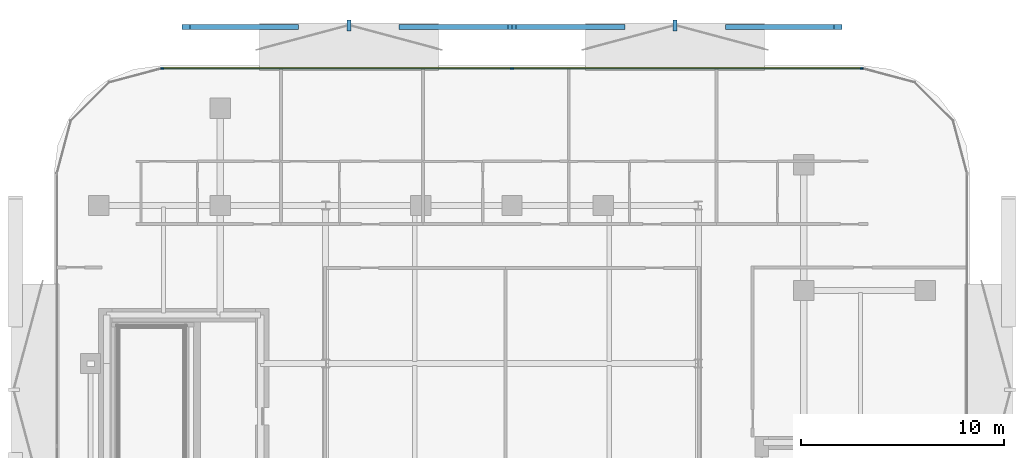
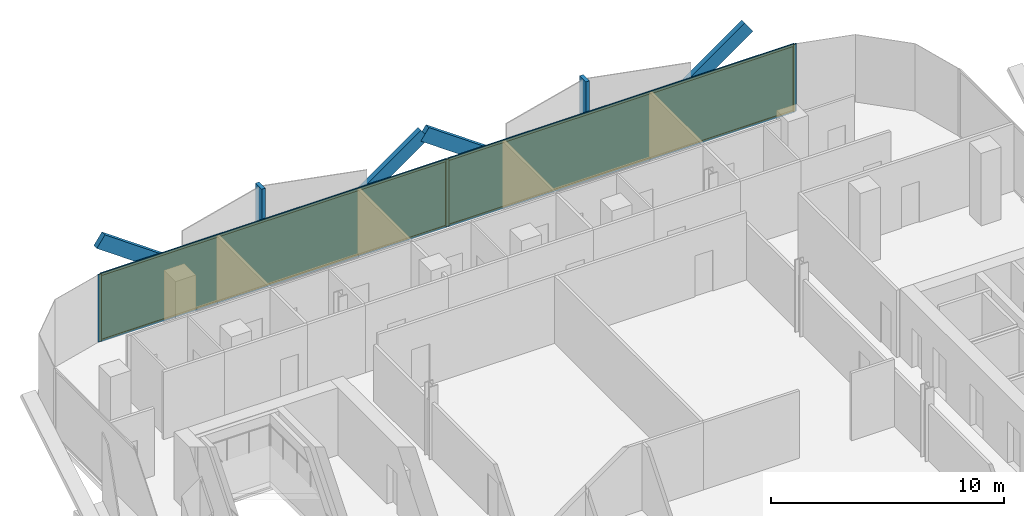
# One storey, part 12 of 17: 13 members, 2 plates, 1 curtain wall.
"""IFC4 building model written with IfcOpenShell, lengths in metres."""

from ifc_helpers import new_model, si_unit, direction, frame, frame_2d, origin, origin_2d, place, context, subcontext, project, spatial, rectangle, extrude, material, layer, layer_set, material_profile, profile_set, type_object, element, aggregate, save


model = new_model("IFC4")

# Units and contexts
model_context = context("Model", 3, precision=1e-05, world=origin(), true_north=direction((0.0, 1.0)))
body_context = subcontext(model_context, "Body", "Model", "MODEL_VIEW")
ifc_project = project(units=[si_unit("LENGTHUNIT", "METRE"), si_unit("AREAUNIT", "SQUARE_METRE"), si_unit("VOLUMEUNIT", "CUBIC_METRE"), si_unit("PLANEANGLEUNIT", "RADIAN"), si_unit("MASSUNIT", "GRAM", prefix="KILO")], contexts=[model_context])

# Member
ifc_material_1 = material(Name="Anodised Bronze Aluminium 6063-T6", Category="aluminium")
ifc_material_profile_1 = material_profile(ifc_material_1, rectangle(XDim=0.260009765625, YDim=0.699951171875, at=origin_2d()))
ifc_profile_set_1 = profile_set([ifc_material_profile_1], Name="Anodised Bronze Aluminium 6063-T6")
member_type_1 = type_object("IfcMemberType", Name="Bronze Diamond Solar-Screen Lattice Rib BDL-700", PredefinedType="MULLION", material=ifc_profile_set_1)
site_placement = place(None, origin())
building_placement = place(site_placement, origin())
storey_placement = place(building_placement, frame((0.0, 0.0, 191.60009765625)))
member_1_placement = place(storey_placement, frame((-5.363525390625, 27.39990234375, -0.130126953125), z_axis=(0.815960970702, 0.0, 0.578106992079), x_axis=(0.0, 1.0, 0.0)))
member_1 = element("IfcMember", 1, at=member_1_placement, type_object=member_type_1, Name="L44 Bronze Diamond Solar Screen Lattice Rib 293A", PredefinedType="MULLION", context=body_context, shape_type="SweptSolid", body=[
    extrude(rectangle(XDim=0.260009765625, YDim=0.699951171875, at=origin_2d()), origin(), (0.0, 0.0, 1.0), 6.5732421875),
])

member_2_placement = place(storey_placement, frame((-10.727294921875, 27.39990234375, -0.130126953125), z_axis=(-0.815960970702, 0.0, 0.578106992079), x_axis=(0.0, -1.0, 0.0)))
member_2 = element("IfcMember", 2, at=member_2_placement, type_object=member_type_1, Name="L44 Bronze Diamond Solar Screen Lattice Rib 293B", PredefinedType="MULLION", context=body_context, shape_type="SweptSolid", body=[
    extrude(rectangle(XDim=0.260009765625, YDim=0.699951171875, at=origin_2d()), origin(), (0.0, 0.0, 1.0), 6.5732421875),
])

member_3_placement = place(storey_placement, frame((10.727294921875, 27.39990234375, -0.130126953125), z_axis=(0.815960970702, 0.0, 0.578106992079), x_axis=(0.0, 1.0, 0.0)))
member_3 = element("IfcMember", 3, at=member_3_placement, type_object=member_type_1, Name="L44 Bronze Diamond Solar Screen Lattice Rib 294A", PredefinedType="MULLION", context=body_context, shape_type="SweptSolid", body=[
    extrude(rectangle(XDim=0.260009765625, YDim=0.699951171875, at=origin_2d()), origin(), (0.0, 0.0, 1.0), 6.5732421875),
])

member_4_placement = place(storey_placement, frame((5.363525390625, 27.39990234375, -0.130126953125), z_axis=(-0.815960970702, 0.0, 0.578106992079), x_axis=(0.0, -1.0, 0.0)))
member_4 = element("IfcMember", 4, at=member_4_placement, type_object=member_type_1, Name="L44 Bronze Diamond Solar Screen Lattice Rib 294B", PredefinedType="MULLION", context=body_context, shape_type="SweptSolid", body=[
    extrude(rectangle(XDim=0.260009765625, YDim=0.699951171875, at=origin_2d()), origin(), (0.0, 0.0, 1.0), 6.5732421875),
])

ifc_material_2 = material(Name="Anodised Bronze Aluminium 6063-T6", Category="aluminium")
ifc_material_profile_2 = material_profile(ifc_material_2, rectangle(XDim=0.179931640625, YDim=0.5400390625, at=origin_2d()))
ifc_profile_set_2 = profile_set([ifc_material_profile_2], Name="Anodised Bronze Aluminium 6063-T6")
member_type_2 = type_object("IfcMemberType", Name="Bronze Solar-Screen Vertical Fold Fin BSF-540", PredefinedType="MULLION", material=ifc_profile_set_2)
member_5_placement = place(storey_placement, frame((-8.04541015625, 27.47998046875, -0.130126953125), z_axis=(0.0, 0.0, 1.0), x_axis=(1.0, 0.0, 0.0)))
member_5 = element("IfcMember", 5, at=member_5_placement, type_object=member_type_2, Name="L44 Bronze Solar Screen Vertical Fin 293", PredefinedType="MULLION", context=body_context, shape_type="SweptSolid", body=[
    extrude(rectangle(XDim=0.179931640625, YDim=0.5400390625, at=origin_2d()), origin(), (0.0, 0.0, 1.0), 3.800048828125),
])

member_6_placement = place(storey_placement, frame((8.04541015625, 27.47998046875, -0.130126953125), z_axis=(0.0, 0.0, 1.0), x_axis=(1.0, 0.0, 0.0)))
member_6 = element("IfcMember", 6, at=member_6_placement, type_object=member_type_2, Name="L44 Bronze Solar Screen Vertical Fin 294", PredefinedType="MULLION", context=body_context, shape_type="SweptSolid", body=[
    extrude(rectangle(XDim=0.179931640625, YDim=0.5400390625, at=origin_2d()), origin(), (0.0, 0.0, 1.0), 3.800048828125),
])

ifc_material_3 = material(Name="Anodised Bronze Aluminium 6063-T6", Category="aluminium")
ifc_material_profile_3 = material_profile(ifc_material_3, rectangle(XDim=0.06005859375, YDim=0.1650390625, at=origin_2d()))
ifc_profile_set_3 = profile_set([ifc_material_profile_3], Name="Anodised Bronze Aluminium 6063-T6")
member_type_3 = type_object("IfcMemberType", Name="CW-Z3 Mullion 60x165", PredefinedType="MULLION", material=ifc_profile_set_3)
member_7_placement = place(storey_placement, frame((-17.2607421875, 25.360107421875, 0.0), z_axis=(0.0, 0.0, 1.0), x_axis=(0.0, 1.0, 0.0)))
member_7 = element("IfcMember", 7, at=member_7_placement, type_object=member_type_3, Name="CW-Z3 mullion 1", PredefinedType="MULLION", context=body_context, shape_type="SweptSolid", body=[
    extrude(rectangle(XDim=0.06005859375, YDim=0.1650390625, at=origin_2d()), origin(), (0.0, 0.0, 1.0), 3.539794921875),
])

member_8_placement = place(storey_placement, frame((0.0, 25.360107421875, 0.0), z_axis=(0.0, 0.0, 1.0), x_axis=(0.0, 1.0, 0.0)))
member_8 = element("IfcMember", 8, at=member_8_placement, type_object=member_type_3, Name="CW-Z3 mullion 2", PredefinedType="MULLION", context=body_context, shape_type="SweptSolid", body=[
    extrude(rectangle(XDim=0.06005859375, YDim=0.1650390625, at=origin_2d()), origin(), (0.0, 0.0, 1.0), 3.539794921875),
])

member_9_placement = place(storey_placement, frame((17.2607421875, 25.360107421875, 0.0), z_axis=(0.0, 0.0, 1.0), x_axis=(0.0, 1.0, 0.0)))
member_9 = element("IfcMember", 9, at=member_9_placement, type_object=member_type_3, Name="CW-Z3 mullion 3", PredefinedType="MULLION", context=body_context, shape_type="SweptSolid", body=[
    extrude(rectangle(XDim=0.06005859375, YDim=0.1650390625, at=origin_2d()), origin(), (0.0, 0.0, 1.0), 3.539794921875),
])

ifc_material_4 = material(Name="Anodised Bronze Aluminium 6063-T6", Category="aluminium")
ifc_material_profile_4 = material_profile(ifc_material_4, rectangle(XDim=0.06005859375, YDim=0.1298828125, at=origin_2d()))
ifc_profile_set_4 = profile_set([ifc_material_profile_4], Name="Anodised Bronze Aluminium 6063-T6")
member_type_4 = type_object("IfcMemberType", Name="CW-Z3 Transom 60x130", PredefinedType="USERDEFINED", material=ifc_profile_set_4)
member_10_placement = place(storey_placement, frame((-17.230712890625, 25.360107421875, 0.02978515625), z_axis=(1.0, 0.0, 0.0), x_axis=(0.0, 1.0, 0.0)))
member_10 = element("IfcMember", 10, at=member_10_placement, type_object=member_type_4, Name="CW-Z3 transom 1.1", ObjectType="TRANSOM", PredefinedType="USERDEFINED", context=body_context, shape_type="SweptSolid", body=[
    extrude(rectangle(XDim=0.06005859375, YDim=0.1298828125, at=origin_2d()), origin(), (0.0, 0.0, 1.0), 17.20068359375),
])

member_11_placement = place(storey_placement, frame((-17.230712890625, 25.360107421875, 3.510009765625), z_axis=(1.0, 0.0, 0.0), x_axis=(0.0, 1.0, 0.0)))
member_11 = element("IfcMember", 11, at=member_11_placement, type_object=member_type_4, Name="CW-Z3 transom 1.2", ObjectType="TRANSOM", PredefinedType="USERDEFINED", context=body_context, shape_type="SweptSolid", body=[
    extrude(rectangle(XDim=0.06005859375, YDim=0.1298828125, at=origin_2d()), origin(), (0.0, 0.0, 1.0), 17.20068359375),
])

member_12_placement = place(storey_placement, frame((0.030029296875, 25.360107421875, 0.02978515625), z_axis=(1.0, 0.0, 0.0), x_axis=(0.0, 1.0, 0.0)))
member_12 = element("IfcMember", 12, at=member_12_placement, type_object=member_type_4, Name="CW-Z3 transom 2.1", ObjectType="TRANSOM", PredefinedType="USERDEFINED", context=body_context, shape_type="SweptSolid", body=[
    extrude(rectangle(XDim=0.06005859375, YDim=0.1298828125, at=origin_2d()), origin(), (0.0, 0.0, 1.0), 17.20068359375),
])

member_13_placement = place(storey_placement, frame((0.030029296875, 25.360107421875, 3.510009765625), z_axis=(1.0, 0.0, 0.0), x_axis=(0.0, 1.0, 0.0)))
member_13 = element("IfcMember", 13, at=member_13_placement, type_object=member_type_4, Name="CW-Z3 transom 2.2", ObjectType="TRANSOM", PredefinedType="USERDEFINED", context=body_context, shape_type="SweptSolid", body=[
    extrude(rectangle(XDim=0.06005859375, YDim=0.1298828125, at=origin_2d()), origin(), (0.0, 0.0, 1.0), 17.20068359375),
])

# Plate
ifc_material_5 = material(Name="Low-E Solar Control Laminated Glass", Category="glass")
ifc_layer_1 = layer(ifc_material_5, 0.030029296875, Name="Low-E Solar Control Laminated Glass")
ifc_layer_set_1 = layer_set([ifc_layer_1], Name="Low-E Solar Control Laminated Glass")
plate_type = type_object("IfcPlateType", Name="CW-Z3 Low-E Double Glazed Panel 30mm", PredefinedType="CURTAIN_PANEL", material=ifc_layer_set_1)
plate_1_placement = place(storey_placement, frame((-8.63037109375, 25.360107421875, 0.06005859375), z_axis=(0.0, 0.0, 1.0), x_axis=(1.0, 0.0, 0.0)))
plate_1 = element("IfcPlate", 14, at=plate_1_placement, type_object=plate_type, Name="CW-Z3 panel 1.1", PredefinedType="CURTAIN_PANEL", context=body_context, shape_type="SweptSolid", body=[
    extrude(rectangle(XDim=17.20068359375, YDim=0.030029296875, at=origin_2d()), origin(), (0.0, 0.0, 1.0), 3.419921875),
])

plate_2_placement = place(storey_placement, frame((8.63037109375, 25.360107421875, 0.06005859375), z_axis=(0.0, 0.0, 1.0), x_axis=(1.0, 0.0, 0.0)))
plate_2 = element("IfcPlate", 15, at=plate_2_placement, type_object=plate_type, Name="CW-Z3 panel 2.1", PredefinedType="CURTAIN_PANEL", context=body_context, shape_type="SweptSolid", body=[
    extrude(rectangle(XDim=17.20068359375, YDim=0.030029296875, at=origin_2d()), origin(), (0.0, 0.0, 1.0), 3.419921875),
])

# Site, building, storey
site = spatial("IfcSite", under=ifc_project, at=site_placement, CompositionType="ELEMENT")
building = spatial("IfcBuilding", under=site, at=building_placement, Name="Khairoan Windgate Tower", CompositionType="ELEMENT")
storey = spatial("IfcBuildingStorey", under=building, at=storey_placement, Name="L44", CompositionType="ELEMENT", Elevation=191.60009765625)

# Curtain wall
ifc_material_6 = material(Name="Anodised Bronze Aluminium 6063-T6", Category="aluminium")
ifc_layer_2 = layer(ifc_material_6, 0.1650390625, Name="Anodised Bronze Aluminium 6063-T6")
ifc_layer_set_2 = layer_set([ifc_layer_2], Name="Anodised Bronze Aluminium 6063-T6")
curtain_wall_type = type_object("IfcCurtainWallType", Name="Luxury Hotel Acoustic Curtain Wall CW-Z3", PredefinedType="NOTDEFINED", material=ifc_layer_set_2)
curtain_wall_placement = place(storey_placement, frame((-17.290771484375, 25.360107421875, 0.0), z_axis=(0.0, 0.0, 1.0), x_axis=(1.0, 0.0, 0.0)))
curtain_wall = element("IfcCurtainWall", 16, at=curtain_wall_placement, inside=storey, type_object=curtain_wall_type, Name="L44 Unitised Curtain Wall 9", PredefinedType="NOTDEFINED", context=body_context, shape_type="SweptSolid", body=[
    extrude(rectangle(XDim=34.58154296875, YDim=0.010009765625, at=frame_2d((17.290771484375, 0.0))), origin(), (0.0, 0.0, 1.0), 3.539794921875),
])

aggregate(curtain_wall, [member_7, member_8, member_9, member_10, member_11, plate_1, member_12, member_13, plate_2, member_1, member_2, member_5, member_3, member_4, member_6])

save(model, "model.ifc")
